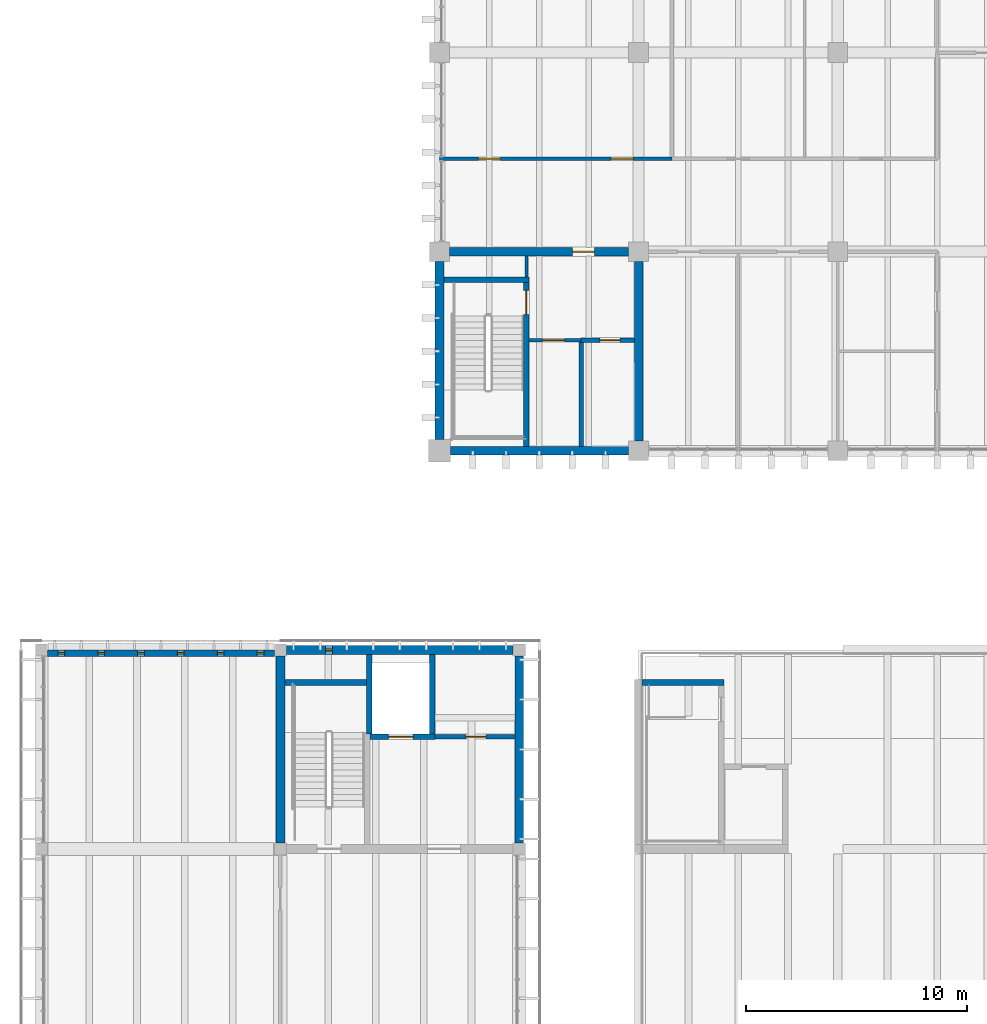
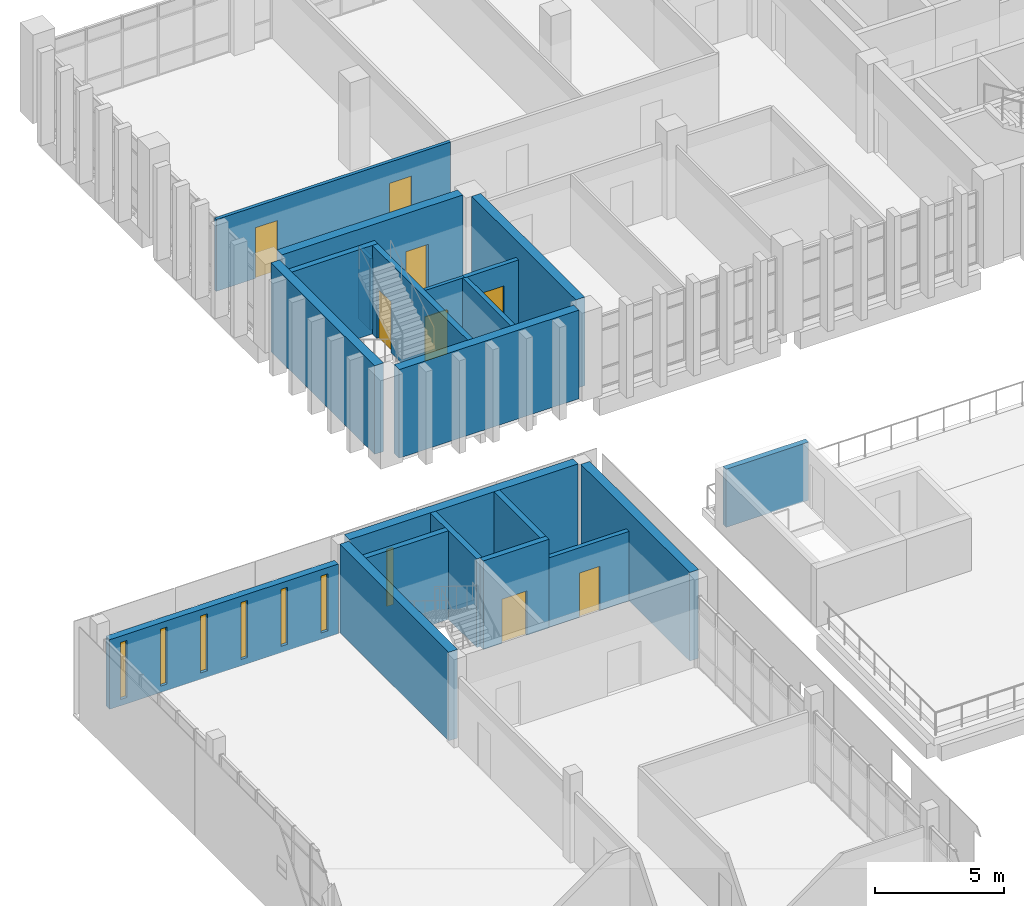
# One storey, part 48 of 74: 21 walls, 8 doors, 7 windows, 15 openings.
"""IFC4 building model written with IfcOpenShell, lengths in metres."""

from ifc_helpers import new_model, si_unit, direction, frame, frame_2d, origin, place, context, subcontext, project, spatial, rectangle, extrude, material, layer, layer_set, type_object, element, fill, save


model = new_model("IFC4")

# Units and contexts
model_context = context("Model", 3, precision=1e-05, world=origin(), true_north=direction((0.0, 1.0)))
body_context = subcontext(model_context, "Body", "Model", "MODEL_VIEW")
ifc_project = project(units=[si_unit("LENGTHUNIT", "METRE"), si_unit("AREAUNIT", "SQUARE_METRE"), si_unit("VOLUMEUNIT", "CUBIC_METRE"), si_unit("PLANEANGLEUNIT", "RADIAN"), si_unit("MASSUNIT", "GRAM", prefix="KILO")], contexts=[model_context])

# Site, building, storey
site_placement = place(None, origin())
site = spatial("IfcSite", under=ifc_project, at=site_placement, CompositionType="ELEMENT")
building_placement = place(site_placement, origin())
building = spatial("IfcBuilding", under=site, at=building_placement, Name="Merrow Basin Faculty of Sciences", CompositionType="ELEMENT")
storey_placement = place(building_placement, frame((0.0, 0.0, 13.5)))
storey = spatial("IfcBuildingStorey", under=building, at=storey_placement, Name="L03", CompositionType="ELEMENT", Elevation=13.5)

# Wall
ifc_material_1 = material(Name="Fire-rated gypsum board")
ifc_layer_1 = layer(ifc_material_1, 0.14990234375)
ifc_layer_set_1 = layer_set([ifc_layer_1], Name="Corridor partition 150 fire-rated board on steel studs")
wall_type_1 = type_object("IfcWallType", Name="Corridor partition 150 fire-rated board on steel studs", PredefinedType="PARTITIONING", material=ifc_layer_set_1)
wall_1_placement = place(storey_placement, frame((21.925048828125, 149.85009765625, 0.0), z_axis=(0.0, 0.0, 1.0), x_axis=(0.0, 1.0, 0.0)))
element("IfcWall", 1, at=wall_1_placement, inside=storey, type_object=wall_type_1, Name="IW151 L03 003", PredefinedType="PARTITIONING", context=body_context, shape_type="SweptSolid", body=[
    extrude(rectangle(XDim=0.949951171875, YDim=0.14990234375, at=frame_2d((0.47509765625, 0.0))), origin(), (0.0, 0.0, 1.0), 3.39990234375),
])

# Wall, opening, door
wall_2_placement = place(storey_placement, frame((22.050048828125, 147.0, 0.0), z_axis=(0.0, 0.0, 1.0), x_axis=(1.0, 0.0, 0.0)))
wall_2 = element("IfcWall", 2, at=wall_2_placement, inside=storey, type_object=wall_type_1, Name="IW151 L03 006", PredefinedType="PARTITIONING", context=body_context, shape_type="SweptSolid", body=[
    extrude(rectangle(XDim=2.349853515625, YDim=0.14990234375, at=frame_2d((1.1748046875, 0.0))), origin(), (0.0, 0.0, 1.0), 3.39990234375),
])
opening_1_placement = place(wall_2_placement, frame((0.60009765625, 0.0, 0.0)))
opening_1 = element("IfcOpeningElement", 3, at=opening_1_placement, cuts=wall_2, Name="Opening D03T006", PredefinedType="OPENING", context=body_context, shape_type="SweptSolid", body=[
    extrude(rectangle(XDim=1.0, YDim=2.10009765625, at=frame_2d((0.5, 1.050048828125))), frame((0.0, 0.0849609375, 0.0), z_axis=(0.0, -1.0, 0.0), x_axis=(1.0, 0.0, 0.0)), (0.0, 0.0, 1.0), 0.169921875),
])
ifc_material_2 = material(Name="Timber door leaf", Category="wood")
door_type_1 = type_object("IfcDoorType", Name="Accessible door 1000 x 2100", OperationType="NOTDEFINED", PredefinedType="DOOR", material=ifc_material_2)
door_1_placement = place(opening_1_placement, origin())
door_1 = element("IfcDoor", 4, at=door_1_placement, inside=storey, type_object=door_type_1, Name="Door D03T006", OperationType="SINGLE_SWING_LEFT", OverallHeight=2.10009765625, OverallWidth=1.0, PredefinedType="DOOR", context=body_context, shape_type="SweptSolid", body=[
    extrude(rectangle(XDim=1.0, YDim=2.10009765625, at=frame_2d((0.5, 1.050048828125))), frame((0.0, 0.02490234375, 0.0), z_axis=(0.0, -1.0, 0.0), x_axis=(1.0, 0.0, 0.0)), (0.0, 0.0, 1.0), 0.050048828125),
])
fill(opening_1, door_1)

# Wall, openings, windows
ifc_material_3 = material(Name="Precast concrete C40/50", Category="concrete")
ifc_layer_2 = layer(ifc_material_3, 0.300048828125)
ifc_layer_set_2 = layer_set([ifc_layer_2], Name="End wall 300 Precast concrete C40/50")
wall_type_2 = type_object("IfcWallType", Name="End wall 300 Precast concrete C40/50", PredefinedType="STANDARD", material=ifc_layer_set_2)
wall_3_placement = place(storey_placement, frame((10.52490234375, 132.85009765625, 0.0), z_axis=(0.0, 0.0, 1.0), x_axis=(-1.0, 0.0, 0.0)))
wall_3 = element("IfcWall", 5, at=wall_3_placement, inside=storey, type_object=wall_type_2, Name="North end wall 1", PredefinedType="STANDARD", context=body_context, shape_type="SweptSolid", body=[
    extrude(rectangle(XDim=10.25, YDim=0.300048828125, at=frame_2d((5.125, 0.0))), origin(), (0.0, 0.0, 1.0), 3.300048828125),
])
opening_2_placement = place(wall_3_placement, frame((9.47509765625, 0.0, 0.300048828125)))
opening_2 = element("IfcOpeningElement", 6, at=opening_2_placement, cuts=wall_3, Name="Opening WN1", PredefinedType="OPENING", context=body_context, shape_type="SweptSolid", body=[
    extrude(rectangle(XDim=0.300048828125, YDim=2.699951171875, at=frame_2d((0.14990234375, 1.35009765625))), frame((0.0, 0.159912109375, 0.0), z_axis=(0.0, -1.0, 0.0), x_axis=(1.0, 0.0, 0.0)), (0.0, 0.0, 1.0), 0.320068359375),
])
opening_3_placement = place(wall_3_placement, frame((7.675048828125, 0.0, 0.300048828125)))
opening_3 = element("IfcOpeningElement", 7, at=opening_3_placement, cuts=wall_3, Name="Opening WN1", PredefinedType="OPENING", context=body_context, shape_type="SweptSolid", body=[
    extrude(rectangle(XDim=0.300048828125, YDim=2.699951171875, at=frame_2d((0.14990234375, 1.35009765625))), frame((0.0, 0.159912109375, 0.0), z_axis=(0.0, -1.0, 0.0), x_axis=(1.0, 0.0, 0.0)), (0.0, 0.0, 1.0), 0.320068359375),
])
opening_4_placement = place(wall_3_placement, frame((5.875, 0.0, 0.300048828125)))
opening_4 = element("IfcOpeningElement", 8, at=opening_4_placement, cuts=wall_3, Name="Opening WN1", PredefinedType="OPENING", context=body_context, shape_type="SweptSolid", body=[
    extrude(rectangle(XDim=0.300048828125, YDim=2.699951171875, at=frame_2d((0.14990234375, 1.35009765625))), frame((0.0, 0.159912109375, 0.0), z_axis=(0.0, -1.0, 0.0), x_axis=(1.0, 0.0, 0.0)), (0.0, 0.0, 1.0), 0.320068359375),
])
opening_5_placement = place(wall_3_placement, frame((4.074951171875, 0.0, 0.300048828125)))
opening_5 = element("IfcOpeningElement", 9, at=opening_5_placement, cuts=wall_3, Name="Opening WN1", PredefinedType="OPENING", context=body_context, shape_type="SweptSolid", body=[
    extrude(rectangle(XDim=0.300048828125, YDim=2.699951171875, at=frame_2d((0.14990234375, 1.35009765625))), frame((0.0, 0.159912109375, 0.0), z_axis=(0.0, -1.0, 0.0), x_axis=(1.0, 0.0, 0.0)), (0.0, 0.0, 1.0), 0.320068359375),
])
opening_6_placement = place(wall_3_placement, frame((2.27490234375, 0.0, 0.300048828125)))
opening_6 = element("IfcOpeningElement", 10, at=opening_6_placement, cuts=wall_3, Name="Opening WN1", PredefinedType="OPENING", context=body_context, shape_type="SweptSolid", body=[
    extrude(rectangle(XDim=0.300048828125, YDim=2.699951171875, at=frame_2d((0.14990234375, 1.35009765625))), frame((0.0, 0.159912109375, 0.0), z_axis=(0.0, -1.0, 0.0), x_axis=(1.0, 0.0, 0.0)), (0.0, 0.0, 1.0), 0.320068359375),
])
opening_7_placement = place(wall_3_placement, frame((0.47509765625, 0.0, 0.300048828125)))
opening_7 = element("IfcOpeningElement", 11, at=opening_7_placement, cuts=wall_3, Name="Opening WN1", PredefinedType="OPENING", context=body_context, shape_type="SweptSolid", body=[
    extrude(rectangle(XDim=0.300048828125, YDim=2.699951171875, at=frame_2d((0.14990234375, 1.35009765625))), frame((0.0, 0.159912109375, 0.0), z_axis=(0.0, -1.0, 0.0), x_axis=(1.0, 0.0, 0.0)), (0.0, 0.0, 1.0), 0.320068359375),
])
ifc_material_4 = material(Name="Low-E double glazing", Category="glass")
window_type = type_object("IfcWindowType", Name="Slot window 300 x 2700", PartitioningType="SINGLE_PANEL", PredefinedType="WINDOW", material=ifc_material_4)
window_1_placement = place(opening_2_placement, origin())
window_1 = element("IfcWindow", 12, at=window_1_placement, inside=storey, type_object=window_type, Name="North slot window L03", OverallHeight=2.699951171875, OverallWidth=0.300048828125, PartitioningType="SINGLE_PANEL", PredefinedType="WINDOW", context=body_context, shape_type="SweptSolid", body=[
    extrude(rectangle(XDim=0.300048828125, YDim=2.699951171875, at=frame_2d((0.14990234375, 1.35009765625))), frame((0.0, 0.030029296875, 0.0), z_axis=(0.0, -1.0, 0.0), x_axis=(1.0, 0.0, 0.0)), (0.0, 0.0, 1.0), 0.06005859375),
])
fill(opening_2, window_1)
window_2_placement = place(opening_3_placement, origin())
window_2 = element("IfcWindow", 13, at=window_2_placement, inside=storey, type_object=window_type, Name="North slot window L03", OverallHeight=2.699951171875, OverallWidth=0.300048828125, PartitioningType="SINGLE_PANEL", PredefinedType="WINDOW", context=body_context, shape_type="SweptSolid", body=[
    extrude(rectangle(XDim=0.300048828125, YDim=2.699951171875, at=frame_2d((0.14990234375, 1.35009765625))), frame((0.0, 0.030029296875, 0.0), z_axis=(0.0, -1.0, 0.0), x_axis=(1.0, 0.0, 0.0)), (0.0, 0.0, 1.0), 0.06005859375),
])
fill(opening_3, window_2)
window_3_placement = place(opening_4_placement, origin())
window_3 = element("IfcWindow", 14, at=window_3_placement, inside=storey, type_object=window_type, Name="North slot window L03", OverallHeight=2.699951171875, OverallWidth=0.300048828125, PartitioningType="SINGLE_PANEL", PredefinedType="WINDOW", context=body_context, shape_type="SweptSolid", body=[
    extrude(rectangle(XDim=0.300048828125, YDim=2.699951171875, at=frame_2d((0.14990234375, 1.35009765625))), frame((0.0, 0.030029296875, 0.0), z_axis=(0.0, -1.0, 0.0), x_axis=(1.0, 0.0, 0.0)), (0.0, 0.0, 1.0), 0.06005859375),
])
fill(opening_4, window_3)
window_4_placement = place(opening_5_placement, origin())
window_4 = element("IfcWindow", 15, at=window_4_placement, inside=storey, type_object=window_type, Name="North slot window L03", OverallHeight=2.699951171875, OverallWidth=0.300048828125, PartitioningType="SINGLE_PANEL", PredefinedType="WINDOW", context=body_context, shape_type="SweptSolid", body=[
    extrude(rectangle(XDim=0.300048828125, YDim=2.699951171875, at=frame_2d((0.14990234375, 1.35009765625))), frame((0.0, 0.030029296875, 0.0), z_axis=(0.0, -1.0, 0.0), x_axis=(1.0, 0.0, 0.0)), (0.0, 0.0, 1.0), 0.06005859375),
])
fill(opening_5, window_4)
window_5_placement = place(opening_6_placement, origin())
window_5 = element("IfcWindow", 16, at=window_5_placement, inside=storey, type_object=window_type, Name="North slot window L03", OverallHeight=2.699951171875, OverallWidth=0.300048828125, PartitioningType="SINGLE_PANEL", PredefinedType="WINDOW", context=body_context, shape_type="SweptSolid", body=[
    extrude(rectangle(XDim=0.300048828125, YDim=2.699951171875, at=frame_2d((0.14990234375, 1.35009765625))), frame((0.0, 0.030029296875, 0.0), z_axis=(0.0, -1.0, 0.0), x_axis=(1.0, 0.0, 0.0)), (0.0, 0.0, 1.0), 0.06005859375),
])
fill(opening_6, window_5)
window_6_placement = place(opening_7_placement, origin())
window_6 = element("IfcWindow", 17, at=window_6_placement, inside=storey, type_object=window_type, Name="North slot window L03", OverallHeight=2.699951171875, OverallWidth=0.300048828125, PartitioningType="SINGLE_PANEL", PredefinedType="WINDOW", context=body_context, shape_type="SweptSolid", body=[
    extrude(rectangle(XDim=0.300048828125, YDim=2.699951171875, at=frame_2d((0.14990234375, 1.35009765625))), frame((0.0, 0.030029296875, 0.0), z_axis=(0.0, -1.0, 0.0), x_axis=(1.0, 0.0, 0.0)), (0.0, 0.0, 1.0), 0.06005859375),
])
fill(opening_7, window_6)

# Wall, openings, doors
ifc_material_5 = material(Name="Fire-rated gypsum board")
ifc_layer_3 = layer(ifc_material_5, 0.14990234375)
ifc_layer_set_3 = layer_set([ifc_layer_3], Name="Laboratory partition 150 fire-rated board on steel studs")
wall_type_3 = type_object("IfcWallType", Name="Laboratory partition 150 fire-rated board on steel studs", PredefinedType="PARTITIONING", material=ifc_layer_set_3)
wall_4_placement = place(storey_placement, frame((18.0, 155.199951171875, 0.0), z_axis=(0.0, 0.0, 1.0), x_axis=(1.0, 0.0, 0.0)))
wall_4 = element("IfcWall", 18, at=wall_4_placement, inside=storey, type_object=wall_type_3, Name="IW150 L03 014", PredefinedType="PARTITIONING", context=body_context, shape_type="SweptSolid", body=[
    extrude(rectangle(XDim=10.5, YDim=0.14990234375, at=frame_2d((5.25, 0.0))), origin(), (0.0, 0.0, 1.0), 3.39990234375),
])
opening_8_placement = place(wall_4_placement, frame((1.75, 0.0, 0.0)))
opening_8 = element("IfcOpeningElement", 19, at=opening_8_placement, cuts=wall_4, Name="Opening D03T010", PredefinedType="OPENING", context=body_context, shape_type="SweptSolid", body=[
    extrude(rectangle(XDim=1.0, YDim=2.39990234375, at=frame_2d((0.5, 1.199951171875))), frame((0.0, 0.0849609375, 0.0), z_axis=(0.0, -1.0, 0.0), x_axis=(1.0, 0.0, 0.0)), (0.0, 0.0, 1.0), 0.169921875),
])
opening_9_placement = place(wall_4_placement, frame((7.75, 0.0, 0.0)))
opening_9 = element("IfcOpeningElement", 20, at=opening_9_placement, cuts=wall_4, Name="Opening D03T011", PredefinedType="OPENING", context=body_context, shape_type="SweptSolid", body=[
    extrude(rectangle(XDim=1.0, YDim=2.39990234375, at=frame_2d((0.5, 1.199951171875))), frame((0.0, 0.0849609375, 0.0), z_axis=(0.0, -1.0, 0.0), x_axis=(1.0, 0.0, 0.0)), (0.0, 0.0, 1.0), 0.169921875),
])
ifc_material_6 = material(Name="Fire-rated steel door", Category="steel")
door_type_2 = type_object("IfcDoorType", Name="Fire door FD60 1000 x 2400", OperationType="NOTDEFINED", PredefinedType="DOOR", material=ifc_material_6)
door_2_placement = place(opening_8_placement, origin())
door_2 = element("IfcDoor", 21, at=door_2_placement, inside=storey, type_object=door_type_2, Name="Door D03T010", OperationType="SINGLE_SWING_LEFT", OverallHeight=2.39990234375, OverallWidth=1.0, PredefinedType="DOOR", context=body_context, shape_type="SweptSolid", body=[
    extrude(rectangle(XDim=1.0, YDim=2.39990234375, at=frame_2d((0.5, 1.199951171875))), frame((0.0, 0.02490234375, 0.0), z_axis=(0.0, -1.0, 0.0), x_axis=(1.0, 0.0, 0.0)), (0.0, 0.0, 1.0), 0.050048828125),
])
fill(opening_8, door_2)
door_3_placement = place(opening_9_placement, origin())
door_3 = element("IfcDoor", 22, at=door_3_placement, inside=storey, type_object=door_type_2, Name="Door D03T011", OperationType="SINGLE_SWING_RIGHT", OverallHeight=2.39990234375, OverallWidth=1.0, PredefinedType="DOOR", context=body_context, shape_type="SweptSolid", body=[
    extrude(rectangle(XDim=1.0, YDim=2.39990234375, at=frame_2d((0.5, 1.199951171875))), frame((0.0, 0.02490234375, 0.0), z_axis=(0.0, -1.0, 0.0), x_axis=(1.0, 0.0, 0.0)), (0.0, 0.0, 1.0), 0.050048828125),
])
fill(opening_9, door_3)

# Wall, opening, door
ifc_material_7 = material(Name="Fire-rated gypsum board")
ifc_layer_4 = layer(ifc_material_7, 0.199951171875)
ifc_layer_set_4 = layer_set([ifc_layer_4], Name="Riser lining 200 fire-rated board on steel studs")
wall_type_4 = type_object("IfcWallType", Name="Riser lining 200 fire-rated board on steel studs", PredefinedType="PARTITIONING", material=ifc_layer_set_4)
wall_5_placement = place(storey_placement, frame((17.800048828125, 129.074951171875, 0.0), z_axis=(0.0, 0.0, 1.0), x_axis=(1.0, 0.0, 0.0)))
wall_5 = element("IfcWall", 23, at=wall_5_placement, inside=storey, type_object=wall_type_4, Name="IW200 L03 005", PredefinedType="PARTITIONING", context=body_context, shape_type="SweptSolid", body=[
    extrude(rectangle(XDim=3.599853515625, YDim=0.199951171875, at=frame_2d((1.7998046875, 0.0))), origin(), (0.0, 0.0, 1.0), 3.300048828125),
])
opening_10_placement = place(wall_5_placement, frame((1.387939453125, 0.0, 0.0)))
opening_10 = element("IfcOpeningElement", 24, at=opening_10_placement, cuts=wall_5, Name="Opening D03B011", PredefinedType="OPENING", context=body_context, shape_type="SweptSolid", body=[
    extrude(rectangle(XDim=0.89990234375, YDim=2.10009765625, at=frame_2d((0.449951171875, 1.050048828125))), frame((0.0, 0.10986328125, 0.0), z_axis=(0.0, -1.0, 0.0), x_axis=(1.0, 0.0, 0.0)), (0.0, 0.0, 1.0), 0.219970703125),
])
ifc_material_8 = material(Name="Fire-rated steel door", Category="steel")
door_type_3 = type_object("IfcDoorType", Name="Fire door FD60 900 x 2100", OperationType="NOTDEFINED", PredefinedType="DOOR", material=ifc_material_8)
door_4_placement = place(opening_10_placement, origin())
door_4 = element("IfcDoor", 25, at=door_4_placement, inside=storey, type_object=door_type_3, Name="Door D03B011", OperationType="SINGLE_SWING_RIGHT", OverallHeight=2.10009765625, OverallWidth=0.89990234375, PredefinedType="DOOR", context=body_context, shape_type="SweptSolid", body=[
    extrude(rectangle(XDim=0.89990234375, YDim=2.10009765625, at=frame_2d((0.449951171875, 1.050048828125))), frame((0.0, 0.02490234375, 0.0), z_axis=(0.0, -1.0, 0.0), x_axis=(1.0, 0.0, 0.0)), (0.0, 0.0, 1.0), 0.050048828125),
])
fill(opening_10, door_4)

# Wall
wall_6_placement = place(storey_placement, frame((24.39990234375, 142.199951171875, 0.0), z_axis=(0.0, 0.0, 1.0), x_axis=(0.0, 1.0, 0.0)))
element("IfcWall", 26, at=wall_6_placement, inside=storey, type_object=wall_type_4, Name="IW200 L03 001", PredefinedType="PARTITIONING", context=body_context, shape_type="SweptSolid", body=[
    extrude(rectangle(XDim=4.800048828125, YDim=0.199951171875, at=frame_2d((2.39990234375, 0.0))), origin(), (0.0, 0.0, 1.0), 3.39990234375),
])

# Wall, opening, door
wall_7_placement = place(storey_placement, frame((24.39990234375, 147.0, 0.0), z_axis=(0.0, 0.0, 1.0), x_axis=(1.0, 0.0, 0.0)))
wall_7 = element("IfcWall", 27, at=wall_7_placement, inside=storey, type_object=wall_type_4, Name="IW200 L03 002", PredefinedType="PARTITIONING", context=body_context, shape_type="SweptSolid", body=[
    extrude(rectangle(XDim=2.400146484375, YDim=0.199951171875, at=frame_2d((1.2001953125, 0.0))), origin(), (0.0, 0.0, 1.0), 3.39990234375),
])
opening_11_placement = place(wall_7_placement, frame((0.85009765625, 0.0, 0.0)))
opening_11 = element("IfcOpeningElement", 28, at=opening_11_placement, cuts=wall_7, Name="Opening D03T007", PredefinedType="OPENING", context=body_context, shape_type="SweptSolid", body=[
    extrude(rectangle(XDim=0.89990234375, YDim=2.39990234375, at=frame_2d((0.449951171875, 1.199951171875))), frame((0.0, 0.10986328125, 0.0), z_axis=(0.0, -1.0, 0.0), x_axis=(1.0, 0.0, 0.0)), (0.0, 0.0, 1.0), 0.219970703125),
])
ifc_material_9 = material(Name="Fire-rated steel door", Category="steel")
door_type_4 = type_object("IfcDoorType", Name="Fire door FD60 900 x 2400", OperationType="NOTDEFINED", PredefinedType="DOOR", material=ifc_material_9)
door_5_placement = place(opening_11_placement, origin())
door_5 = element("IfcDoor", 29, at=door_5_placement, inside=storey, type_object=door_type_4, Name="Door D03T007", OperationType="SINGLE_SWING_RIGHT", OverallHeight=2.39990234375, OverallWidth=0.89990234375, PredefinedType="DOOR", context=body_context, shape_type="SweptSolid", body=[
    extrude(rectangle(XDim=0.89990234375, YDim=2.39990234375, at=frame_2d((0.449951171875, 1.199951171875))), frame((0.0, 0.02490234375, 0.0), z_axis=(0.0, -1.0, 0.0), x_axis=(1.0, 0.0, 0.0)), (0.0, 0.0, 1.0), 0.050048828125),
])
fill(opening_11, door_5)

# Wall
ifc_material_10 = material(Name="Concrete C40/50", Category="concrete")
ifc_layer_5 = layer(ifc_material_10, 0.25)
ifc_layer_set_5 = layer_set([ifc_layer_5], Name="Shear wall 250 Concrete C40/50")
wall_type_5 = type_object("IfcWallType", Name="Shear wall 250 Concrete C40/50", PredefinedType="SHEAR", material=ifc_layer_set_5)
wall_8_placement = place(storey_placement, frame((11.0, 131.52490234375, 0.0), z_axis=(0.0, 0.0, 1.0), x_axis=(1.0, 0.0, 0.0)))
element("IfcWall", 30, at=wall_8_placement, inside=storey, type_object=wall_type_5, Name="SW2 L03 019", PredefinedType="SHEAR", context=body_context, shape_type="SweptSolid", body=[
    extrude(rectangle(XDim=3.85009765625, YDim=0.25, at=frame_2d((1.925048828125, 0.0))), origin(), (0.0, 0.0, 1.0), 4.199951171875),
])

# Wall, opening, door
wall_9_placement = place(storey_placement, frame((14.85009765625, 129.074951171875, 0.0), z_axis=(0.0, 0.0, 1.0), x_axis=(1.0, 0.0, 0.0)))
wall_9 = element("IfcWall", 31, at=wall_9_placement, inside=storey, type_object=wall_type_5, Name="SW2 L03 021", PredefinedType="SHEAR", context=body_context, shape_type="SweptSolid", body=[
    extrude(rectangle(XDim=2.949951171875, YDim=0.25, at=frame_2d((1.47509765625, 0.0))), origin(), (0.0, 0.0, 1.0), 4.199951171875),
])
opening_12_placement = place(wall_9_placement, frame((0.85009765625, 0.0, 0.0)))
opening_12 = element("IfcOpeningElement", 32, at=opening_12_placement, cuts=wall_9, Name="Opening LD03B02", PredefinedType="OPENING", context=body_context, shape_type="SweptSolid", body=[
    extrude(rectangle(XDim=1.10009765625, YDim=2.10009765625, at=frame_2d((0.550048828125, 1.050048828125))), frame((0.0, 0.135009765625, 0.0), z_axis=(0.0, -1.0, 0.0), x_axis=(1.0, 0.0, 0.0)), (0.0, 0.0, 1.0), 0.27001953125),
])
ifc_material_11 = material(Name="Stainless steel sliding door", Category="steel")
door_type_5 = type_object("IfcDoorType", Name="Lift landing door 1100 x 2100 sliding", OperationType="NOTDEFINED", PredefinedType="DOOR", material=ifc_material_11)
door_6_placement = place(opening_12_placement, origin())
door_6 = element("IfcDoor", 33, at=door_6_placement, inside=storey, type_object=door_type_5, Name="Landing door LF2 L03", OperationType="SLIDING_TO_LEFT", OverallHeight=2.10009765625, OverallWidth=1.10009765625, PredefinedType="DOOR", context=body_context, shape_type="SweptSolid", body=[
    extrude(rectangle(XDim=1.10009765625, YDim=2.10009765625, at=frame_2d((0.550048828125, 1.050048828125))), frame((0.0, 0.02490234375, 0.0), z_axis=(0.0, -1.0, 0.0), x_axis=(1.0, 0.0, 0.0)), (0.0, 0.0, 1.0), 0.050048828125),
])
fill(opening_12, door_6)

# Walls
for number, where, z_axis, x_axis, name in (
    (34, (14.824951171875, 129.199951171875, 0.0), (0.0, 0.0, 1.0), (0.0, 1.0, 0.0), "SW2 L03 022"),
    (35, (17.675048828125, 129.199951171875, 0.0), (0.0, 0.0, 1.0), (0.0, 1.0, 0.0), "SW2 L03 023"),
):
    element("IfcWall", number, at=place(storey_placement, frame(where, z_axis=z_axis, x_axis=x_axis)), inside=storey, type_object=wall_type_5, Name=name, PredefinedType="SHEAR", context=body_context, shape_type="SweptSolid", body=[
        extrude(rectangle(XDim=3.60009765625, YDim=0.25, at=frame_2d((1.800048828125, 0.0))), origin(), (0.0, 0.0, 1.0), 4.199951171875),
    ])
wall_10_placement = place(storey_placement, frame((27.14990234375, 131.52490234375, 0.0), z_axis=(0.0, 0.0, 1.0), x_axis=(1.0, 0.0, 0.0)))
element("IfcWall", 36, at=wall_10_placement, inside=storey, type_object=wall_type_5, Name="SW2 L03 002", PredefinedType="SHEAR", context=body_context, shape_type="SweptSolid", body=[
    extrude(rectangle(XDim=3.7001953125, YDim=0.25, at=frame_2d((1.85009765625, 0.0))), origin(), (0.0, 0.0, 1.0), 2.75),
])
ifc_material_12 = material(Name="Concrete C50/60", Category="concrete")
ifc_layer_6 = layer(ifc_material_12, 0.25)
ifc_layer_set_6 = layer_set([ifc_layer_6], Name="Shear wall 250 Concrete C50/60")
wall_type_6 = type_object("IfcWallType", Name="Shear wall 250 Concrete C50/60", PredefinedType="SHEAR", material=ifc_layer_set_6)
wall_11_placement = place(storey_placement, frame((18.199951171875, 149.72509765625, 0.0), z_axis=(0.0, 0.0, 1.0), x_axis=(1.0, 0.0, 0.0)))
element("IfcWall", 37, at=wall_11_placement, inside=storey, type_object=wall_type_6, Name="SW4 L03 029", PredefinedType="SHEAR", context=body_context, shape_type="SweptSolid", body=[
    extrude(rectangle(XDim=3.85009765625, YDim=0.25, at=frame_2d((1.925048828125, 0.0))), origin(), (0.0, 0.0, 1.0), 4.199951171875),
])

# Wall, opening, door
wall_12_placement = place(storey_placement, frame((21.925048828125, 142.199951171875, 0.0), z_axis=(0.0, 0.0, 1.0), x_axis=(0.0, 1.0, 0.0)))
wall_12 = element("IfcWall", 38, at=wall_12_placement, inside=storey, type_object=wall_type_6, Name="SW4 L03 030", PredefinedType="SHEAR", context=body_context, shape_type="SweptSolid", body=[
    extrude(rectangle(XDim=7.400146484375, YDim=0.25, at=frame_2d((3.7001953125, 0.0))), origin(), (0.0, 0.0, 1.0), 4.199951171875),
])
opening_13_placement = place(wall_12_placement, frame((5.949951171875, 0.0, 0.0)))
opening_13 = element("IfcOpeningElement", 39, at=opening_13_placement, cuts=wall_12, Name="Opening D03T004", PredefinedType="OPENING", context=body_context, shape_type="SweptSolid", body=[
    extrude(rectangle(XDim=1.10009765625, YDim=2.39990234375, at=frame_2d((0.550048828125, 1.199951171875))), frame((0.0, 0.135009765625, 0.0), z_axis=(0.0, -1.0, 0.0), x_axis=(1.0, 0.0, 0.0)), (0.0, 0.0, 1.0), 0.27001953125),
])
ifc_material_13 = material(Name="Fire-rated steel door", Category="steel")
door_type_6 = type_object("IfcDoorType", Name="Fire door FD90 1100 x 2400", OperationType="NOTDEFINED", PredefinedType="DOOR", material=ifc_material_13)
door_7_placement = place(opening_13_placement, origin())
door_7 = element("IfcDoor", 40, at=door_7_placement, inside=storey, type_object=door_type_6, Name="Door D03T004", OperationType="SINGLE_SWING_RIGHT", OverallHeight=2.39990234375, OverallWidth=1.10009765625, PredefinedType="DOOR", context=body_context, shape_type="SweptSolid", body=[
    extrude(rectangle(XDim=1.10009765625, YDim=2.39990234375, at=frame_2d((0.550048828125, 1.199951171875))), frame((0.0, 0.02490234375, 0.0), z_axis=(0.0, -1.0, 0.0), x_axis=(1.0, 0.0, 0.0)), (0.0, 0.0, 1.0), 0.050048828125),
])
fill(opening_13, door_7)

# Wall, opening, window
ifc_material_14 = material(Name="Concrete C40/50", Category="concrete")
ifc_layer_7 = layer(ifc_material_14, 0.39990234375)
ifc_layer_set_7 = layer_set([ifc_layer_7], Name="Shear wall 400 Concrete C40/50")
wall_type_7 = type_object("IfcWallType", Name="Shear wall 400 Concrete C40/50", PredefinedType="SHEAR", material=ifc_layer_set_7)
wall_13_placement = place(storey_placement, frame((11.074951171875, 133.0, 0.0), z_axis=(0.0, 0.0, 1.0), x_axis=(1.0, 0.0, 0.0)))
wall_13 = element("IfcWall", 41, at=wall_13_placement, inside=storey, type_object=wall_type_7, Name="SW1 L03 016", PredefinedType="SHEAR", context=body_context, shape_type="SweptSolid", body=[
    extrude(rectangle(XDim=10.25, YDim=0.39990234375, at=frame_2d((5.125, 0.0))), origin(), (0.0, 0.0, 1.0), 4.199951171875),
])
opening_14_placement = place(wall_13_placement, frame((1.77490234375, 0.0, 0.300048828125)))
opening_14 = element("IfcOpeningElement", 42, at=opening_14_placement, cuts=wall_13, Name="Opening WN1", PredefinedType="OPENING", context=body_context, shape_type="SweptSolid", body=[
    extrude(rectangle(XDim=0.300048828125, YDim=2.699951171875, at=frame_2d((0.14990234375, 1.35009765625))), frame((0.0, 0.2099609375, 0.0), z_axis=(0.0, -1.0, 0.0), x_axis=(1.0, 0.0, 0.0)), (0.0, 0.0, 1.0), 0.419921875),
])
window_7_placement = place(opening_14_placement, origin())
window_7 = element("IfcWindow", 43, at=window_7_placement, inside=storey, type_object=window_type, Name="Stair slot window C-V4-N L03", OverallHeight=2.699951171875, OverallWidth=0.300048828125, PartitioningType="SINGLE_PANEL", PredefinedType="WINDOW", context=body_context, shape_type="SweptSolid", body=[
    extrude(rectangle(XDim=0.300048828125, YDim=2.699951171875, at=frame_2d((0.14990234375, 1.35009765625))), frame((0.0, 0.030029296875, 0.0), z_axis=(0.0, -1.0, 0.0), x_axis=(1.0, 0.0, 0.0)), (0.0, 0.0, 1.0), 0.06005859375),
])
fill(opening_14, window_7)

# Walls
for number, where, z_axis, x_axis, name in (
    (44, (10.800048828125, 124.27490234375, 0.0), (0.0, 0.0, 1.0), (0.0, 1.0, 0.0), "SW1 L03 017"),
    (45, (21.60009765625, 124.27490234375, 0.0), (0.0, 0.0, 1.0), (0.0, 1.0, 0.0), "SW1 L03 018"),
):
    element("IfcWall", number, at=place(storey_placement, frame(where, z_axis=z_axis, x_axis=x_axis)), inside=storey, type_object=wall_type_7, Name=name, PredefinedType="SHEAR", context=body_context, shape_type="SweptSolid", body=[
        extrude(rectangle(XDim=8.4501953125, YDim=0.39990234375, at=frame_2d((4.22509765625, 0.0))), origin(), (0.0, 0.0, 1.0), 4.199951171875),
    ])
ifc_material_15 = material(Name="Concrete C50/60", Category="concrete")
ifc_layer_8 = layer(ifc_material_15, 0.39990234375)
ifc_layer_set_8 = layer_set([ifc_layer_8], Name="Shear wall 400 Concrete C50/60")
wall_type_8 = type_object("IfcWallType", Name="Shear wall 400 Concrete C50/60", PredefinedType="SHEAR", material=ifc_layer_set_8)
wall_14_placement = place(storey_placement, frame((18.5, 142.0, 0.0), z_axis=(0.0, 0.0, 1.0), x_axis=(1.0, 0.0, 0.0)))
element("IfcWall", 46, at=wall_14_placement, inside=storey, type_object=wall_type_8, Name="SW3 L03 025", PredefinedType="SHEAR", context=body_context, shape_type="SweptSolid", body=[
    extrude(rectangle(XDim=8.050048828125, YDim=0.39990234375, at=frame_2d((4.02490234375, 0.0))), origin(), (0.0, 0.0, 1.0), 4.199951171875),
])

# Wall, opening, door
wall_15_placement = place(storey_placement, frame((18.449951171875, 151.0, 0.0), z_axis=(0.0, 0.0, 1.0), x_axis=(1.0, 0.0, 0.0)))
wall_15 = element("IfcWall", 47, at=wall_15_placement, inside=storey, type_object=wall_type_8, Name="SW3 L03 026", PredefinedType="SHEAR", context=body_context, shape_type="SweptSolid", body=[
    extrude(rectangle(XDim=8.10009765625, YDim=0.39990234375, at=frame_2d((4.050048828125, 0.0))), origin(), (0.0, 0.0, 1.0), 4.199951171875),
])
opening_15_placement = place(wall_15_placement, frame((5.550048828125, 0.0, 0.0)))
opening_15 = element("IfcOpeningElement", 48, at=opening_15_placement, cuts=wall_15, Name="Opening D03T005", PredefinedType="OPENING", context=body_context, shape_type="SweptSolid", body=[
    extrude(rectangle(XDim=1.0, YDim=2.39990234375, at=frame_2d((0.5, 1.199951171875))), frame((0.0, 0.2099609375, 0.0), z_axis=(0.0, -1.0, 0.0), x_axis=(1.0, 0.0, 0.0)), (0.0, 0.0, 1.0), 0.419921875),
])
door_8_placement = place(opening_15_placement, origin())
door_8 = element("IfcDoor", 49, at=door_8_placement, inside=storey, type_object=door_type_2, Name="Door D03T005", OperationType="SINGLE_SWING_RIGHT", OverallHeight=2.39990234375, OverallWidth=1.0, PredefinedType="DOOR", context=body_context, shape_type="SweptSolid", body=[
    extrude(rectangle(XDim=1.0, YDim=2.39990234375, at=frame_2d((0.5, 1.199951171875))), frame((0.0, 0.02490234375, 0.0), z_axis=(0.0, -1.0, 0.0), x_axis=(1.0, 0.0, 0.0)), (0.0, 0.0, 1.0), 0.050048828125),
])
fill(opening_15, door_8)

# Walls
wall_16_placement = place(storey_placement, frame((18.0, 142.5, 0.0), z_axis=(0.0, 0.0, 1.0), x_axis=(0.0, 1.0, 0.0)))
element("IfcWall", 50, at=wall_16_placement, inside=storey, type_object=wall_type_8, Name="SW3 L03 027", PredefinedType="SHEAR", context=body_context, shape_type="SweptSolid", body=[
    extrude(rectangle(XDim=8.050048828125, YDim=0.39990234375, at=frame_2d((4.02490234375, 0.0))), origin(), (0.0, 0.0, 1.0), 4.199951171875),
])
wall_17_placement = place(storey_placement, frame((27.0, 142.449951171875, 0.0), z_axis=(0.0, 0.0, 1.0), x_axis=(0.0, 1.0, 0.0)))
element("IfcWall", 51, at=wall_17_placement, inside=storey, type_object=wall_type_8, Name="SW3 L03 028", PredefinedType="SHEAR", context=body_context, shape_type="SweptSolid", body=[
    extrude(rectangle(XDim=8.10009765625, YDim=0.39990234375, at=frame_2d((4.050048828125, 0.0))), origin(), (0.0, 0.0, 1.0), 4.199951171875),
])

save(model, "model.ifc")
